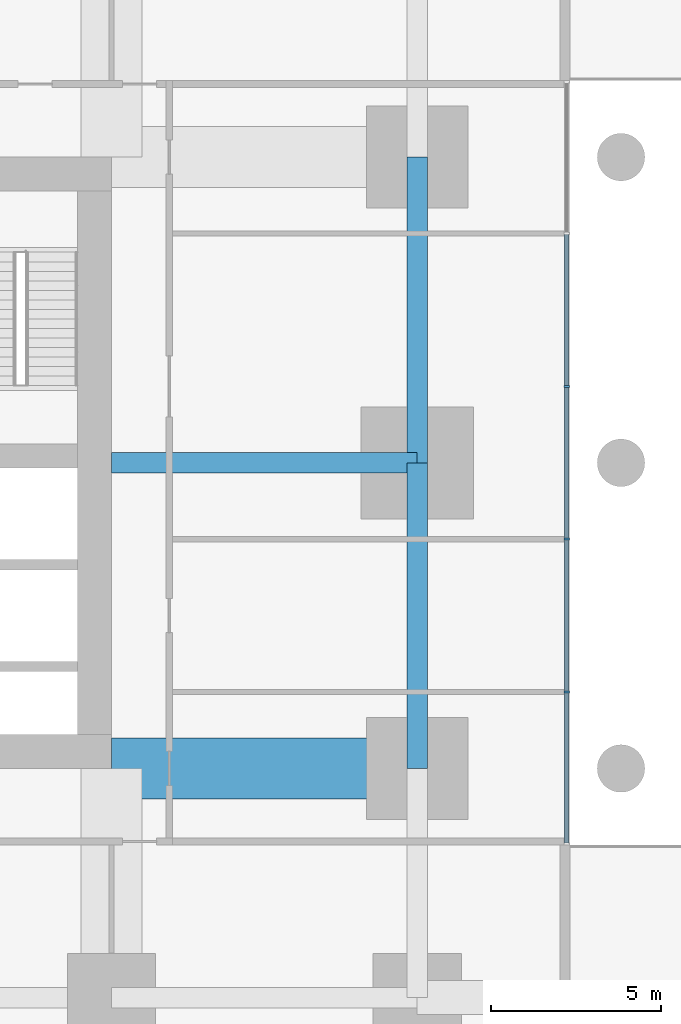
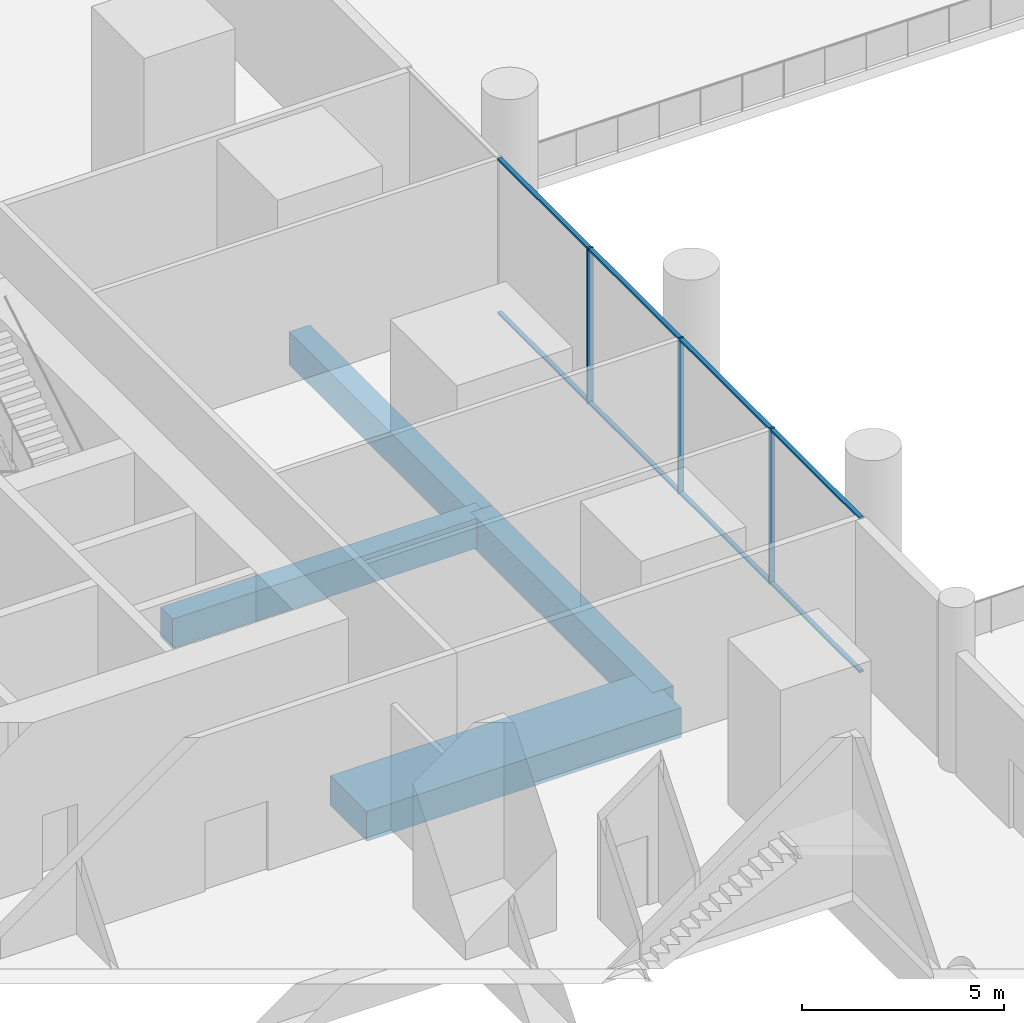
# One storey, part 3 of 22: 11 members, 4 beams, 1 element without a shape of its own.
"""IFC4 building model written with IfcOpenShell, lengths in metres."""

import ifcopenshell
import ifcopenshell.guid

model = None  # the IFC model being written
_history = None  # IfcOwnerHistory: only IFC2X3 demands one
_inside = {}  # id of a spatial element -> (the spatial element, [elements in it])
_under = {}  # id of a project, library or spatial element -> (it, [spatial elements below it])
_declared = {}  # id of a project -> (the project, [libraries it declares])
_typed = {}  # id of a type object -> (the type object, [elements of that type])
_made_of = {}  # id of a material, layer set ... -> (it, [elements and type objects made of it])


def new_model(schema):
    """Start an empty IFC model of exactly this schema.

    Asked for "IFC4X3", IfcOpenShell would pick the latest addendum, in which some entities
    have other attributes; the version numbers below select the first issue.
    IFC2X3 requires an IfcOwnerHistory on every rooted entity: one is made here for all.
    """
    global model, _history
    if schema == "IFC4X3":
        model = ifcopenshell.file(schema_version=(4, 3, 0, 0))
    else:
        model = ifcopenshell.file(schema=schema)
    _inside.clear()
    _under.clear()
    _declared.clear()
    _typed.clear()
    _made_of.clear()
    _history = None
    if model.schema == "IFC2X3":
        org = make("IfcOrganization", Name="unknown")
        user = make(
            "IfcPersonAndOrganization",
            ThePerson=make("IfcPerson", FamilyName="unknown"),
            TheOrganization=org,
        )
        app = make(
            "IfcApplication",
            ApplicationDeveloper=org,
            Version="unknown",
            ApplicationFullName="unknown",
            ApplicationIdentifier="unknown",
        )
        _history = make(
            "IfcOwnerHistory",
            OwningUser=user,
            OwningApplication=app,
            ChangeAction="ADDED",
            CreationDate=0,
        )
    return model


def make(cls, **values):
    """One entity of the class cls with the attributes given. An attribute that is None is left unset."""
    return model.create_entity(
        cls, **{name: value for name, value in values.items() if value is not None}
    )


def rooted(cls, **values):
    """An entity with a GlobalId (a new one), such as an element, a storey or a relation."""
    return make(cls, GlobalId=ifcopenshell.guid.new(), OwnerHistory=_history, **values)


def si_unit(unit_type, name, prefix=None):
    """IfcSIUnit, for example si_unit("LENGTHUNIT", "METRE", prefix="MILLI")."""
    return make("IfcSIUnit", UnitType=unit_type, Prefix=prefix, Name=name)


def assignment(units):
    """IfcUnitAssignment: the units of a project."""
    return None if units is None else make("IfcUnitAssignment", Units=units)


def point(xyz):
    """IfcCartesianPoint."""
    return None if xyz is None else make("IfcCartesianPoint", Coordinates=xyz)


def direction(xyz):
    """IfcDirection."""
    return None if xyz is None else make("IfcDirection", DirectionRatios=xyz)


def frame(location, z_axis=None, x_axis=None):
    """IfcAxis2Placement3D, a coordinate frame: its origin and axes. An axis left out is left unset."""
    return make(
        "IfcAxis2Placement3D",
        Location=point(location),
        Axis=direction(z_axis),
        RefDirection=direction(x_axis),
    )


def frame_2d(location, x_axis=None):
    """IfcAxis2Placement2D, a coordinate frame in the plane: its origin and x axis."""
    return make(
        "IfcAxis2Placement2D", Location=point(location), RefDirection=direction(x_axis)
    )


def origin():
    """The frame at (0, 0, 0) with its axes left unset."""
    return frame((0.0, 0.0, 0.0))


def origin_2d():
    """The frame at (0, 0) in the plane with its x axis left unset."""
    return frame_2d((0.0, 0.0))


def place(relative_to, where):
    """IfcLocalPlacement: puts the frame where relative to a parent placement (None: the world)."""
    return make(
        "IfcLocalPlacement", PlacementRelTo=relative_to, RelativePlacement=where
    )


def context(
    kind, dimensions, precision=None, world=None, true_north=None, identifier=None
):
    """IfcGeometricRepresentationContext, for example the 3D "Model" context."""
    return make(
        "IfcGeometricRepresentationContext",
        ContextIdentifier=identifier,
        ContextType=kind,
        CoordinateSpaceDimension=dimensions,
        Precision=precision,
        WorldCoordinateSystem=world,
        TrueNorth=true_north,
    )


def subcontext(parent, identifier, kind, view, scale=None):
    """IfcGeometricRepresentationSubContext, for example "Body" below "Model"."""
    return make(
        "IfcGeometricRepresentationSubContext",
        ContextIdentifier=identifier,
        ContextType=kind,
        ParentContext=parent,
        TargetScale=scale,
        TargetView=view,
    )


def project(units=None, contexts=None):
    """IfcProject with its units and contexts."""
    return rooted(
        "IfcProject",
        Name="project",
        RepresentationContexts=contexts,
        UnitsInContext=assignment(units),
    )


def spatial(cls, under=None, at=None, **own):
    """A site, building, storey or space (cls), placed at a placement, below another one or the project."""
    s = rooted(cls, ObjectPlacement=at, **own)
    if under is not None:
        _under.setdefault(under.id(), (under, []))[1].append(s)
    return s


def profile(cls, at=None, kind="AREA", **sizes):
    """A parametric profile (cls). Its sizes go by their IFC names, for example OverallWidth=200.0."""
    return make(cls, ProfileType=kind, Position=at, **sizes)


def rectangle(**sizes):
    """IfcRectangleProfileDef."""
    return profile("IfcRectangleProfileDef", **sizes)


def extrude(swept, where, along, depth):
    """IfcExtrudedAreaSolid: the profile swept, set in the frame where, extruded along a direction by depth."""
    return make(
        "IfcExtrudedAreaSolid",
        SweptArea=swept,
        Position=where,
        ExtrudedDirection=direction(along),
        Depth=depth,
    )


def shape(context_of_items, identifier, shape_type, items):
    """IfcShapeRepresentation: the items that make up one representation, for example the "Body"."""
    return make(
        "IfcShapeRepresentation",
        ContextOfItems=context_of_items,
        RepresentationIdentifier=identifier,
        RepresentationType=shape_type,
        Items=items,
    )


def material(Name=None, Category=None):
    """IfcMaterial."""
    return make("IfcMaterial", Name=Name, Category=Category)


def layer(
    of_material, thickness, ventilated=None, Name=None, Category=None, Priority=None
):
    """IfcMaterialLayer: one layer of a wall or slab, of a material (None: an air gap)."""
    return make(
        "IfcMaterialLayer",
        Material=of_material,
        LayerThickness=thickness,
        IsVentilated=ventilated,
        Name=Name,
        Category=Category,
        Priority=Priority,
    )


def layer_set(layers, Name=None):
    """IfcMaterialLayerSet."""
    return make("IfcMaterialLayerSet", MaterialLayers=layers, LayerSetName=Name)


def material_profile(
    of_material, cross_section, Name=None, Category=None, Priority=None
):
    """IfcMaterialProfile: a cross section and its material."""
    return make(
        "IfcMaterialProfile",
        Name=Name,
        Material=of_material,
        Profile=cross_section,
        Priority=Priority,
        Category=Category,
    )


def profile_set(profiles, Name=None, composite=None):
    """IfcMaterialProfileSet."""
    return make(
        "IfcMaterialProfileSet",
        Name=Name,
        MaterialProfiles=profiles,
        CompositeProfile=composite,
    )


def made_of(thing, what):
    """Note that an element or type object is made of a material, layer set ...; save() writes the relation."""
    if what is not None:
        _made_of.setdefault(what.id(), (what, []))[1].append(thing)
    return thing


def type_object(cls, material=None, **own):
    """A type object (cls), such as IfcWallType, which elements share."""
    return made_of(rooted(cls, **own), material)


def element(
    cls,
    number,
    at=None,
    inside=None,
    cuts=None,
    type_object=None,
    material=None,
    context=None,
    identifier="Body",
    shape_type=None,
    held_by="IfcProductDefinitionShape",
    body=None,
    shapes=None,
    **own,
):
    """One element of the class cls, such as IfcWall. Its Tag is "e" and its number.

    at: its placement. inside: the storey or other place that contains it. cuts: it is an
    opening in that element (IfcRelVoidsElement). A single representation is given by context,
    identifier, shape_type and body (its items); several are given by shapes. held_by: the class
    of the entity that holds the representations. save() writes the other relations.
    """
    e = rooted(cls, Tag="e%d" % number, ObjectPlacement=at, **own)
    if body is not None:
        shapes = [shape(context, identifier, shape_type, body)]
    if shapes is not None:
        e.Representation = make(held_by, Representations=shapes)
    if inside is not None:
        _inside.setdefault(inside.id(), (inside, []))[1].append(e)
    if cuts is not None:
        rooted(
            "IfcRelVoidsElement", RelatingBuildingElement=cuts, RelatedOpeningElement=e
        )
    if type_object is not None:
        _typed.setdefault(type_object.id(), (type_object, []))[1].append(e)
    return made_of(e, material)


def aggregate(whole, parts):
    """IfcRelAggregates: a whole, such as a stair, and the parts it consists of."""
    return rooted("IfcRelAggregates", RelatingObject=whole, RelatedObjects=parts)


def save(model, path):
    """Write the relations noted so far, then the file.

    IfcRelAggregates (storeys below a building ...), IfcRelContainedInSpatialStructure (elements
    in a storey), IfcRelDefinesByType, IfcRelAssociatesMaterial and IfcRelDeclares: one each for
    every whole, place, type object, material and project.
    """
    for whole, parts in _under.values():
        aggregate(whole, parts)
    for where, things in _inside.values():
        rooted(
            "IfcRelContainedInSpatialStructure",
            RelatedElements=things,
            RelatingStructure=where,
        )
    for kind, things in _typed.values():
        rooted("IfcRelDefinesByType", RelatedObjects=things, RelatingType=kind)
    for what, things in _made_of.values():
        rooted("IfcRelAssociatesMaterial", RelatedObjects=things, RelatingMaterial=what)
    for by, libraries in _declared.values():
        rooted("IfcRelDeclares", RelatingContext=by, RelatedDefinitions=libraries)
    model.write(path)


model = new_model("IFC4")

# Units and contexts
model_context = context("Model", 3, precision=1e-05, world=origin(), true_north=direction((0.0, 1.0)))
body_context = subcontext(model_context, "Body", "Model", "MODEL_VIEW")
ifc_project = project(units=[si_unit("LENGTHUNIT", "METRE"), si_unit("AREAUNIT", "SQUARE_METRE"), si_unit("VOLUMEUNIT", "CUBIC_METRE"), si_unit("PLANEANGLEUNIT", "RADIAN"), si_unit("MASSUNIT", "GRAM", prefix="KILO")], contexts=[model_context])

# Site, building, storey
site_placement = place(None, origin())
site = spatial("IfcSite", under=ifc_project, at=site_placement, CompositionType="ELEMENT")
building_placement = place(site_placement, origin())
building = spatial("IfcBuilding", under=site, at=building_placement, Name="Namib Vertical Campus", CompositionType="ELEMENT")
storey_placement = place(building_placement, frame((0.0, 0.0, 11.0)))
storey = spatial("IfcBuildingStorey", under=building, at=storey_placement, Name="L02", CompositionType="ELEMENT", Elevation=11.0)

# Curtain wall, members
ifc_material_1 = material(Name="Black aluminium curtain wall", Category="aluminium")
ifc_layer = layer(ifc_material_1, 0.199951171875)
ifc_layer_set = layer_set([ifc_layer], Name="Atrium screen curtain wall CW-AT")
curtain_wall_type = type_object("IfcCurtainWallType", Name="Atrium screen curtain wall CW-AT", PredefinedType="USERDEFINED", material=ifc_layer_set)
curtain_wall_placement = place(storey_placement, origin())
curtain_wall = element("IfcCurtainWall", 1, at=curtain_wall_placement, inside=storey, type_object=curtain_wall_type, Name="Curtain wall CW-AT atrium A L02 1", ObjectType="CURTAIN WALL", PredefinedType="USERDEFINED")
ifc_material_2 = material(Name="Black anodised aluminium", Category="aluminium")
ifc_material_profile_1 = material_profile(ifc_material_2, rectangle(XDim=0.06005859375, YDim=0.159912109375, at=origin_2d()))
ifc_profile_set_1 = profile_set([ifc_material_profile_1], Name="Black anodised aluminium")
member_type_1 = type_object("IfcMemberType", Name="Curtain wall mullion 60x160", PredefinedType="MULLION", material=ifc_profile_set_1)
member_1_placement = place(storey_placement, frame((40.39990234375, 13.5, 0.0), z_axis=(0.0, 0.0, 1.0), x_axis=(0.0, 1.0, 0.0)))
member_1 = element("IfcMember", 2, at=member_1_placement, type_object=member_type_1, Name="CW-AT mullion 2", PredefinedType="MULLION", context=body_context, shape_type="SweptSolid", body=[
    extrude(rectangle(XDim=0.06005859375, YDim=0.159912109375, at=origin_2d()), origin(), (0.0, 0.0, 1.0), 4.699951171875),
])
member_2_placement = place(storey_placement, frame((40.39990234375, 18.0, 0.0), z_axis=(0.0, 0.0, 1.0), x_axis=(0.0, 1.0, 0.0)))
member_2 = element("IfcMember", 3, at=member_2_placement, type_object=member_type_1, Name="CW-AT mullion 3", PredefinedType="MULLION", context=body_context, shape_type="SweptSolid", body=[
    extrude(rectangle(XDim=0.06005859375, YDim=0.159912109375, at=origin_2d()), origin(), (0.0, 0.0, 1.0), 4.699951171875),
])
member_3_placement = place(storey_placement, frame((40.39990234375, 22.5, 0.0), z_axis=(0.0, 0.0, 1.0), x_axis=(0.0, 1.0, 0.0)))
member_3 = element("IfcMember", 4, at=member_3_placement, type_object=member_type_1, Name="CW-AT mullion 4", PredefinedType="MULLION", context=body_context, shape_type="SweptSolid", body=[
    extrude(rectangle(XDim=0.06005859375, YDim=0.159912109375, at=origin_2d()), origin(), (0.0, 0.0, 1.0), 4.699951171875),
])
ifc_material_3 = material(Name="Black anodised aluminium", Category="aluminium")
ifc_material_profile_2 = material_profile(ifc_material_3, rectangle(XDim=0.06005859375, YDim=0.1201171875, at=origin_2d()))
ifc_profile_set_2 = profile_set([ifc_material_profile_2], Name="Black anodised aluminium")
member_type_2 = type_object("IfcMemberType", Name="Curtain wall transom 60x120", PredefinedType="USERDEFINED", material=ifc_profile_set_2)
member_4_placement = place(storey_placement, frame((40.39990234375, 9.06005859375, 0.030029296875), z_axis=(0.0, 1.0, 0.0), x_axis=(0.0, 0.0, 1.0)))
member_4 = element("IfcMember", 5, at=member_4_placement, type_object=member_type_2, Name="CW-AT transom 1.1", ObjectType="TRANSOM", PredefinedType="USERDEFINED", context=body_context, shape_type="SweptSolid", body=[
    extrude(rectangle(XDim=0.06005859375, YDim=0.1201171875, at=origin_2d()), origin(), (0.0, 0.0, 1.0), 4.409912109375),
])
member_5_placement = place(storey_placement, frame((40.39990234375, 9.06005859375, 4.669921875), z_axis=(0.0, 1.0, 0.0), x_axis=(0.0, 0.0, 1.0)))
member_5 = element("IfcMember", 6, at=member_5_placement, type_object=member_type_2, Name="CW-AT transom 1.2", ObjectType="TRANSOM", PredefinedType="USERDEFINED", context=body_context, shape_type="SweptSolid", body=[
    extrude(rectangle(XDim=0.06005859375, YDim=0.1201171875, at=origin_2d()), origin(), (0.0, 0.0, 1.0), 4.409912109375),
])
member_6_placement = place(storey_placement, frame((40.39990234375, 13.530029296875, 0.030029296875), z_axis=(0.0, 1.0, 0.0), x_axis=(0.0, 0.0, 1.0)))
member_6 = element("IfcMember", 7, at=member_6_placement, type_object=member_type_2, Name="CW-AT transom 2.1", ObjectType="TRANSOM", PredefinedType="USERDEFINED", context=body_context, shape_type="SweptSolid", body=[
    extrude(rectangle(XDim=0.06005859375, YDim=0.1201171875, at=origin_2d()), origin(), (0.0, 0.0, 1.0), 4.43994140625),
])
member_7_placement = place(storey_placement, frame((40.39990234375, 13.530029296875, 4.669921875), z_axis=(0.0, 1.0, 0.0), x_axis=(0.0, 0.0, 1.0)))
member_7 = element("IfcMember", 8, at=member_7_placement, type_object=member_type_2, Name="CW-AT transom 2.2", ObjectType="TRANSOM", PredefinedType="USERDEFINED", context=body_context, shape_type="SweptSolid", body=[
    extrude(rectangle(XDim=0.06005859375, YDim=0.1201171875, at=origin_2d()), origin(), (0.0, 0.0, 1.0), 4.43994140625),
])
member_8_placement = place(storey_placement, frame((40.39990234375, 18.030029296875, 0.030029296875), z_axis=(0.0, 1.0, 0.0), x_axis=(0.0, 0.0, 1.0)))
member_8 = element("IfcMember", 9, at=member_8_placement, type_object=member_type_2, Name="CW-AT transom 3.1", ObjectType="TRANSOM", PredefinedType="USERDEFINED", context=body_context, shape_type="SweptSolid", body=[
    extrude(rectangle(XDim=0.06005859375, YDim=0.1201171875, at=origin_2d()), origin(), (0.0, 0.0, 1.0), 4.43994140625),
])
member_9_placement = place(storey_placement, frame((40.39990234375, 18.030029296875, 4.669921875), z_axis=(0.0, 1.0, 0.0), x_axis=(0.0, 0.0, 1.0)))
member_9 = element("IfcMember", 10, at=member_9_placement, type_object=member_type_2, Name="CW-AT transom 3.2", ObjectType="TRANSOM", PredefinedType="USERDEFINED", context=body_context, shape_type="SweptSolid", body=[
    extrude(rectangle(XDim=0.06005859375, YDim=0.1201171875, at=origin_2d()), origin(), (0.0, 0.0, 1.0), 4.43994140625),
])
member_10_placement = place(storey_placement, frame((40.39990234375, 22.530029296875, 0.030029296875), z_axis=(0.0, 1.0, 0.0), x_axis=(0.0, 0.0, 1.0)))
member_10 = element("IfcMember", 11, at=member_10_placement, type_object=member_type_2, Name="CW-AT transom 4.1", ObjectType="TRANSOM", PredefinedType="USERDEFINED", context=body_context, shape_type="SweptSolid", body=[
    extrude(rectangle(XDim=0.06005859375, YDim=0.1201171875, at=origin_2d()), origin(), (0.0, 0.0, 1.0), 4.43994140625),
])
member_11_placement = place(storey_placement, frame((40.39990234375, 22.530029296875, 4.669921875), z_axis=(0.0, 1.0, 0.0), x_axis=(0.0, 0.0, 1.0)))
member_11 = element("IfcMember", 12, at=member_11_placement, type_object=member_type_2, Name="CW-AT transom 4.2", ObjectType="TRANSOM", PredefinedType="USERDEFINED", context=body_context, shape_type="SweptSolid", body=[
    extrude(rectangle(XDim=0.06005859375, YDim=0.1201171875, at=origin_2d()), origin(), (0.0, 0.0, 1.0), 4.43994140625),
])
aggregate(curtain_wall, [member_1, member_2, member_3, member_4, member_5, member_6, member_7, member_8, member_9, member_10, member_11])

# Beams
ifc_material_4 = material(Name="Concrete C40/50", Category="concrete")
ifc_material_profile_3 = material_profile(ifc_material_4, rectangle(XDim=0.60009765625, YDim=0.89990234375, at=origin_2d()))
ifc_profile_set_3 = profile_set([ifc_material_profile_3], Name="Concrete C40/50")
beam_type_1 = type_object("IfcBeamType", Name="Floor girder RC 600x900", PredefinedType="BEAM", material=ifc_profile_set_3)
beam_1_placement = place(storey_placement, frame((36.0, 20.25, -0.75), z_axis=(-1.0, 0.0, 0.0), x_axis=(0.0, -1.0, 0.0)))
element("IfcBeam", 13, at=beam_1_placement, inside=storey, type_object=beam_type_1, Name="Beam B2 L02", PredefinedType="BEAM", context=body_context, shape_type="SweptSolid", body=[
    extrude(rectangle(XDim=0.60009765625, YDim=0.89990234375, at=origin_2d()), origin(), (0.0, 0.0, 1.0), 9.0),
])
ifc_material_5 = material(Name="Concrete C40/50", Category="concrete")
ifc_material_profile_4 = material_profile(ifc_material_5, rectangle(XDim=1.800048828125, YDim=0.89990234375, at=origin_2d()))
ifc_profile_set_4 = profile_set([ifc_material_profile_4], Name="Concrete C40/50")
beam_type_2 = type_object("IfcBeamType", Name="Outrigger line girder RC 1800x900", PredefinedType="BEAM", material=ifc_profile_set_4)
beam_2_placement = place(storey_placement, frame((36.0, 11.25, -0.75), z_axis=(-1.0, 0.0, 0.0), x_axis=(0.0, -1.0, 0.0)))
element("IfcBeam", 14, at=beam_2_placement, inside=storey, type_object=beam_type_2, Name="Beam B12 L02", PredefinedType="BEAM", context=body_context, shape_type="SweptSolid", body=[
    extrude(rectangle(XDim=1.800048828125, YDim=0.89990234375, at=origin_2d()), origin(), (0.0, 0.0, 1.0), 9.0),
])
ifc_material_6 = material(Name="Concrete C40/50", Category="concrete")
ifc_material_profile_5 = material_profile(ifc_material_6, rectangle(XDim=0.60009765625, YDim=1.0, at=origin_2d()))
ifc_profile_set_5 = profile_set([ifc_material_profile_5], Name="Concrete C40/50")
beam_type_3 = type_object("IfcBeamType", Name="Podium ring beam RC 600x1000", PredefinedType="BEAM", material=ifc_profile_set_5)
for number, where, z_axis, x_axis, name in (
    (15, (36.0, 11.25, -0.800048828125), (0.0, 1.0, 0.0), (-1.0, 0.0, 0.0), "Beam B6 L02"),
    (16, (36.0, 20.25, -0.800048828125), (0.0, 1.0, 0.0), (-1.0, 0.0, 0.0), "Beam B6 L02"),
):
    element("IfcBeam", number, at=place(storey_placement, frame(where, z_axis=z_axis, x_axis=x_axis)), inside=storey, type_object=beam_type_3, Name=name, PredefinedType="BEAM", context=body_context, shape_type="SweptSolid", body=[
        extrude(rectangle(XDim=0.60009765625, YDim=1.0, at=origin_2d()), origin(), (0.0, 0.0, 1.0), 9.0),
    ])

save(model, "model.ifc")
